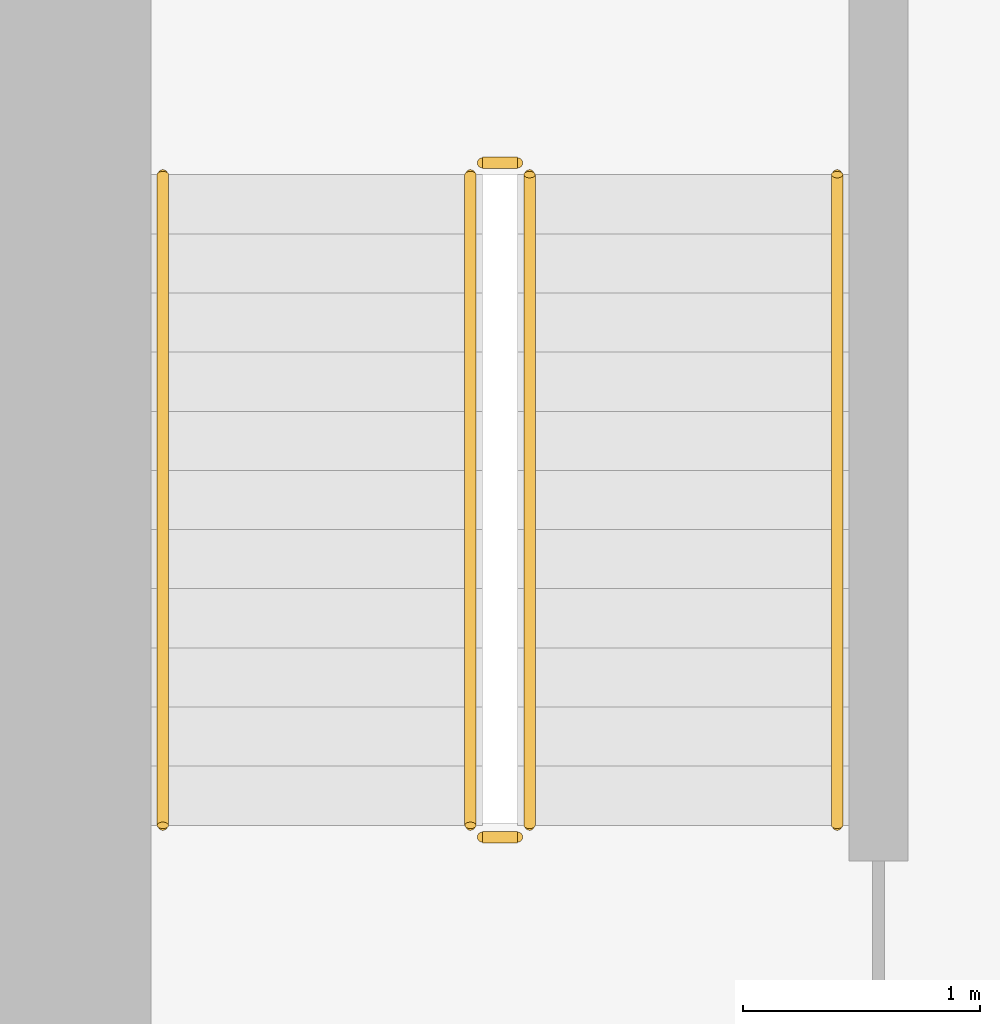
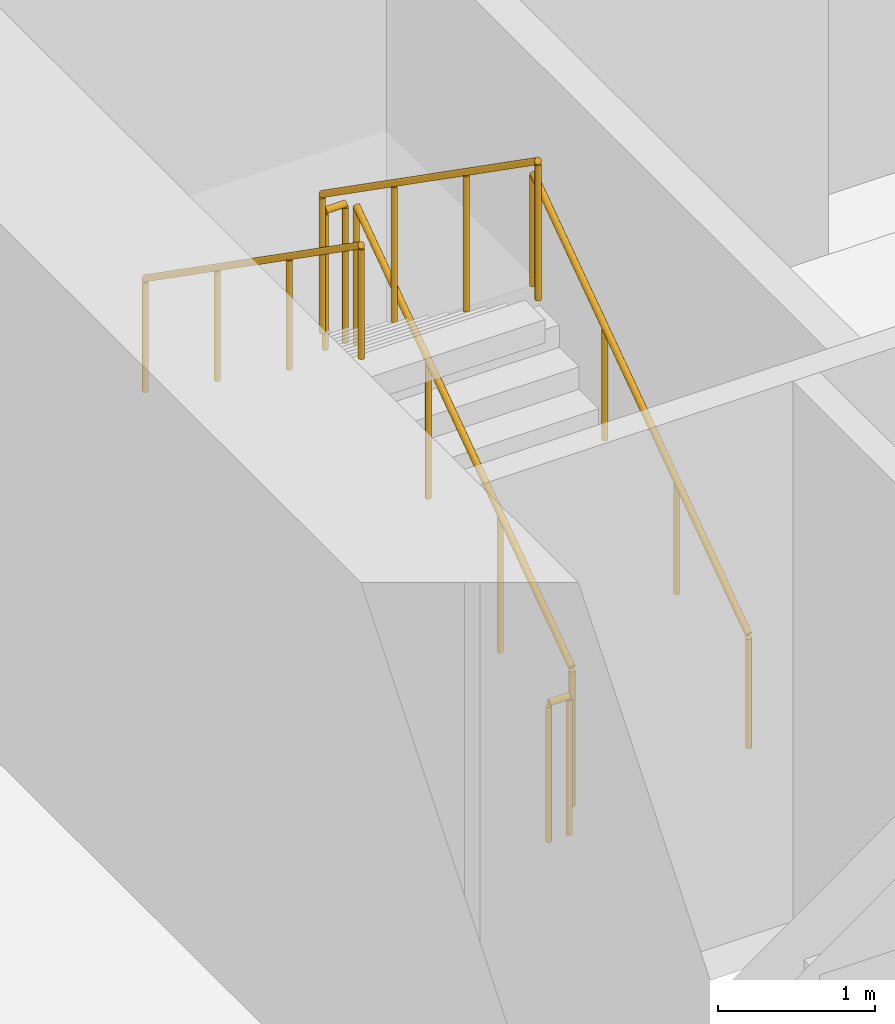
# One storey, part 14 of 16: 6 railings.
"""IFC4 building model written with IfcOpenShell, lengths in metres."""

from ifc_helpers import new_model, si_unit, direction, frame, origin, origin_2d, place, context, subcontext, project, spatial, circle, extrude, source, transform, mapped, material, type_object, element, save


model = new_model("IFC4")

# Units and contexts
model_context = context("Model", 3, precision=1e-05, world=origin(), true_north=direction((0.0, 1.0)))
body_context = subcontext(model_context, "Body", "Model", "MODEL_VIEW")
ifc_project = project(units=[si_unit("LENGTHUNIT", "METRE"), si_unit("AREAUNIT", "SQUARE_METRE"), si_unit("VOLUMEUNIT", "CUBIC_METRE"), si_unit("PLANEANGLEUNIT", "RADIAN"), si_unit("MASSUNIT", "GRAM", prefix="KILO")], contexts=[model_context])

# Site, building, storey
site_placement = place(None, origin())
site = spatial("IfcSite", under=ifc_project, at=site_placement, CompositionType="ELEMENT")
building_placement = place(site_placement, origin())
building = spatial("IfcBuilding", under=site, at=building_placement, Name="Aurelian Terraces", CompositionType="ELEMENT")
storey_placement = place(building_placement, frame((0.0, 0.0, 95.1)))
storey = spatial("IfcBuildingStorey", under=building, at=storey_placement, Name="L20", CompositionType="ELEMENT", Elevation=95.1)

# Railings
ifc_material = material(Name="Stainless steel", Category="steel")
railing_type_1 = type_object("IfcRailingType", Name="Stair guard 1100", PredefinedType="GUARDRAIL", material=ifc_material)
shared_shape_1 = source(origin(), body_context, "Body", "SweptSolid", [
    extrude(circle(Radius=0.024, at=origin_2d()), frame((0.0, 0.0, 1.076), z_axis=(-1.0, 0.0, 0.0), x_axis=(0.0, -1.0, 0.0)), (0.0, 0.0, 1.0), 0.15),
    extrude(circle(Radius=0.021, at=origin_2d()), origin(), (0.0, 0.0, 1.0), 1.052),
    extrude(circle(Radius=0.021, at=origin_2d()), frame((-0.15, 0.0, 0.0)), (0.0, 0.0, 1.0), 1.052),
])
for number, where, name in (
    (1, (5.75, 19.1, 2.1), "L20 S1 stair guard 2"),
    (2, (5.75, 16.25, 0.0), "L20 S1 stair guard 4"),
):
    element("IfcRailing", number, at=place(storey_placement, frame(where)), inside=storey, type_object=railing_type_1, Name=name, PredefinedType="GUARDRAIL", context=body_context, shape_type="MappedRepresentation", body=[
        mapped(shared_shape_1, transform((0.0, 0.0, 0.0), scale=1.0)),
    ])
shared_shape_2 = source(origin(), body_context, "Body", "SweptSolid", [
    extrude(circle(Radius=0.024, at=origin_2d()), frame((0.0, 0.0, 1.076), z_axis=(0.0, 0.819231920519, 0.573462344363), x_axis=(-1.0, 0.0, 0.0)), (0.0, 0.0, 1.0), 3.3568),
    extrude(circle(Radius=0.021, at=origin_2d()), origin(), (0.0, 0.0, 1.0), 1.052),
    extrude(circle(Radius=0.021, at=origin_2d()), frame((0.0, 0.9167, 0.6417)), (0.0, 0.0, 1.0), 1.052),
    extrude(circle(Radius=0.021, at=origin_2d()), frame((0.0, 1.8333, 1.2833)), (0.0, 0.0, 1.0), 1.052),
    extrude(circle(Radius=0.021, at=origin_2d()), frame((0.0, 2.75, 1.925)), (0.0, 0.0, 1.0), 1.052),
])
railing_1_placement = place(storey_placement, frame((5.8, 16.3, 0.175)))
element("IfcRailing", 3, at=railing_1_placement, inside=storey, type_object=railing_type_1, Name="L20 S1 stair guard 1", PredefinedType="GUARDRAIL", context=body_context, shape_type="MappedRepresentation", body=[
    mapped(shared_shape_2, transform((0.0, 0.0, 0.0), scale=1.0)),
])
shared_shape_3 = source(origin(), body_context, "Body", "SweptSolid", [
    extrude(circle(Radius=0.024, at=origin_2d()), frame((0.0, 0.0, 1.076), z_axis=(0.0, -0.819231920519, 0.573462344363), x_axis=(1.0, 0.0, 0.0)), (0.0, 0.0, 1.0), 3.3568),
    extrude(circle(Radius=0.021, at=origin_2d()), origin(), (0.0, 0.0, 1.0), 1.052),
    extrude(circle(Radius=0.021, at=origin_2d()), frame((0.0, -0.9167, 0.6417)), (0.0, 0.0, 1.0), 1.052),
    extrude(circle(Radius=0.021, at=origin_2d()), frame((0.0, -1.8333, 1.2833)), (0.0, 0.0, 1.0), 1.052),
    extrude(circle(Radius=0.021, at=origin_2d()), frame((0.0, -2.75, 1.925)), (0.0, 0.0, 1.0), 1.052),
])
railing_2_placement = place(storey_placement, frame((5.55, 19.05, 2.275)))
element("IfcRailing", 4, at=railing_2_placement, inside=storey, type_object=railing_type_1, Name="L20 S1 stair guard 3", PredefinedType="GUARDRAIL", context=body_context, shape_type="MappedRepresentation", body=[
    mapped(shared_shape_3, transform((0.0, 0.0, 0.0), scale=1.0)),
])
railing_type_2 = type_object("IfcRailingType", Name="Stair handrail", PredefinedType="HANDRAIL", material=ifc_material)
shared_shape_4 = source(origin(), body_context, "Body", "SweptSolid", [
    extrude(circle(Radius=0.024, at=origin_2d()), frame((0.0, 0.0, 0.876), z_axis=(0.0, 0.819231920519, 0.573462344363), x_axis=(-1.0, 0.0, 0.0)), (0.0, 0.0, 1.0), 3.3568),
    extrude(circle(Radius=0.021, at=origin_2d()), origin(), (0.0, 0.0, 1.0), 0.852),
    extrude(circle(Radius=0.021, at=origin_2d()), frame((0.0, 0.9167, 0.6417)), (0.0, 0.0, 1.0), 0.852),
    extrude(circle(Radius=0.021, at=origin_2d()), frame((0.0, 1.8333, 1.2833)), (0.0, 0.0, 1.0), 0.852),
    extrude(circle(Radius=0.021, at=origin_2d()), frame((0.0, 2.75, 1.925)), (0.0, 0.0, 1.0), 0.852),
])
railing_3_placement = place(storey_placement, frame((7.1, 16.3, 0.175)))
element("IfcRailing", 5, at=railing_3_placement, inside=storey, type_object=railing_type_2, Name="L20 S1 stair handrail 1", PredefinedType="HANDRAIL", context=body_context, shape_type="MappedRepresentation", body=[
    mapped(shared_shape_4, transform((0.0, 0.0, 0.0), scale=1.0)),
])
shared_shape_5 = source(origin(), body_context, "Body", "SweptSolid", [
    extrude(circle(Radius=0.024, at=origin_2d()), frame((0.0, 0.0, 0.876), z_axis=(0.0, -0.819231920519, 0.573462344363), x_axis=(1.0, 0.0, 0.0)), (0.0, 0.0, 1.0), 3.3568),
    extrude(circle(Radius=0.021, at=origin_2d()), origin(), (0.0, 0.0, 1.0), 0.852),
    extrude(circle(Radius=0.021, at=origin_2d()), frame((0.0, -0.9167, 0.6417)), (0.0, 0.0, 1.0), 0.852),
    extrude(circle(Radius=0.021, at=origin_2d()), frame((0.0, -1.8333, 1.2833)), (0.0, 0.0, 1.0), 0.852),
    extrude(circle(Radius=0.021, at=origin_2d()), frame((0.0, -2.75, 1.925)), (0.0, 0.0, 1.0), 0.852),
])
railing_4_placement = place(storey_placement, frame((4.25, 19.05, 2.275)))
element("IfcRailing", 6, at=railing_4_placement, inside=storey, type_object=railing_type_2, Name="L20 S1 stair handrail 2", PredefinedType="HANDRAIL", context=body_context, shape_type="MappedRepresentation", body=[
    mapped(shared_shape_5, transform((0.0, 0.0, 0.0), scale=1.0)),
])

save(model, "model.ifc")
